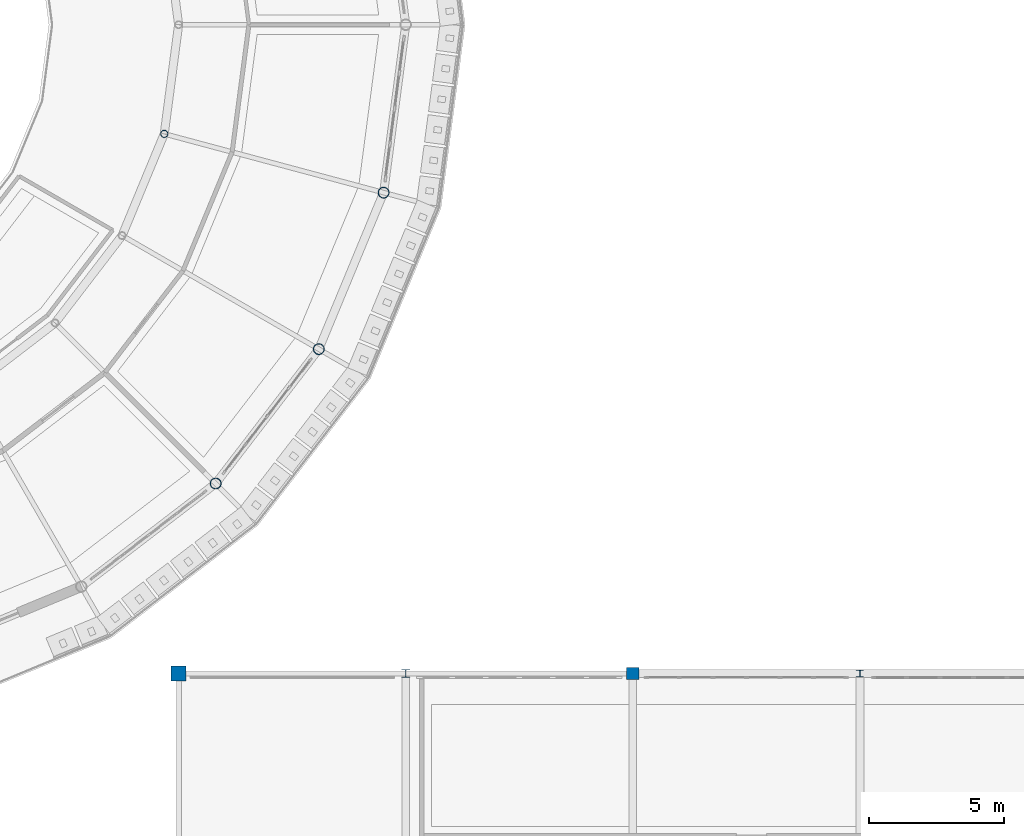
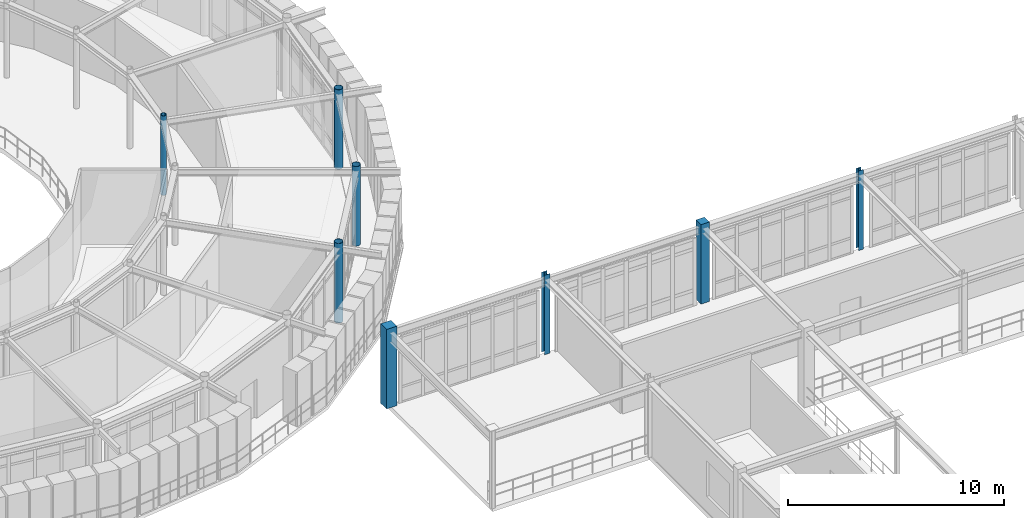
# One storey, part 12 of 106: 8 columns.
"""IFC4 building model written with IfcOpenShell, lengths in metres."""

import ifcopenshell
import ifcopenshell.guid

model = None  # the IFC model being written
_history = None  # IfcOwnerHistory: only IFC2X3 demands one
_inside = {}  # id of a spatial element -> (the spatial element, [elements in it])
_under = {}  # id of a project, library or spatial element -> (it, [spatial elements below it])
_declared = {}  # id of a project -> (the project, [libraries it declares])
_typed = {}  # id of a type object -> (the type object, [elements of that type])
_made_of = {}  # id of a material, layer set ... -> (it, [elements and type objects made of it])


def new_model(schema):
    """Start an empty IFC model of exactly this schema.

    Asked for "IFC4X3", IfcOpenShell would pick the latest addendum, in which some entities
    have other attributes; the version numbers below select the first issue.
    IFC2X3 requires an IfcOwnerHistory on every rooted entity: one is made here for all.
    """
    global model, _history
    if schema == "IFC4X3":
        model = ifcopenshell.file(schema_version=(4, 3, 0, 0))
    else:
        model = ifcopenshell.file(schema=schema)
    _inside.clear()
    _under.clear()
    _declared.clear()
    _typed.clear()
    _made_of.clear()
    _history = None
    if model.schema == "IFC2X3":
        org = make("IfcOrganization", Name="unknown")
        user = make(
            "IfcPersonAndOrganization",
            ThePerson=make("IfcPerson", FamilyName="unknown"),
            TheOrganization=org,
        )
        app = make(
            "IfcApplication",
            ApplicationDeveloper=org,
            Version="unknown",
            ApplicationFullName="unknown",
            ApplicationIdentifier="unknown",
        )
        _history = make(
            "IfcOwnerHistory",
            OwningUser=user,
            OwningApplication=app,
            ChangeAction="ADDED",
            CreationDate=0,
        )
    return model


def make(cls, **values):
    """One entity of the class cls with the attributes given. An attribute that is None is left unset."""
    return model.create_entity(
        cls, **{name: value for name, value in values.items() if value is not None}
    )


def rooted(cls, **values):
    """An entity with a GlobalId (a new one), such as an element, a storey or a relation."""
    return make(cls, GlobalId=ifcopenshell.guid.new(), OwnerHistory=_history, **values)


def si_unit(unit_type, name, prefix=None):
    """IfcSIUnit, for example si_unit("LENGTHUNIT", "METRE", prefix="MILLI")."""
    return make("IfcSIUnit", UnitType=unit_type, Prefix=prefix, Name=name)


def derived_unit(unit_type, elements):
    """IfcDerivedUnit: a product of units, each with its exponent."""
    return make(
        "IfcDerivedUnit",
        Elements=[
            make("IfcDerivedUnitElement", Unit=unit, Exponent=power)
            for unit, power in elements
        ],
        UnitType=unit_type,
    )


def assignment(units):
    """IfcUnitAssignment: the units of a project."""
    return None if units is None else make("IfcUnitAssignment", Units=units)


def point(xyz):
    """IfcCartesianPoint."""
    return None if xyz is None else make("IfcCartesianPoint", Coordinates=xyz)


def direction(xyz):
    """IfcDirection."""
    return None if xyz is None else make("IfcDirection", DirectionRatios=xyz)


def frame(location, z_axis=None, x_axis=None):
    """IfcAxis2Placement3D, a coordinate frame: its origin and axes. An axis left out is left unset."""
    return make(
        "IfcAxis2Placement3D",
        Location=point(location),
        Axis=direction(z_axis),
        RefDirection=direction(x_axis),
    )


def frame_2d(location, x_axis=None):
    """IfcAxis2Placement2D, a coordinate frame in the plane: its origin and x axis."""
    return make(
        "IfcAxis2Placement2D", Location=point(location), RefDirection=direction(x_axis)
    )


def origin():
    """The frame at (0, 0, 0) with its axes left unset."""
    return frame((0.0, 0.0, 0.0))


def origin_2d():
    """The frame at (0, 0) in the plane with its x axis left unset."""
    return frame_2d((0.0, 0.0))


def place(relative_to, where):
    """IfcLocalPlacement: puts the frame where relative to a parent placement (None: the world)."""
    return make(
        "IfcLocalPlacement", PlacementRelTo=relative_to, RelativePlacement=where
    )


def context(
    kind, dimensions, precision=None, world=None, true_north=None, identifier=None
):
    """IfcGeometricRepresentationContext, for example the 3D "Model" context."""
    return make(
        "IfcGeometricRepresentationContext",
        ContextIdentifier=identifier,
        ContextType=kind,
        CoordinateSpaceDimension=dimensions,
        Precision=precision,
        WorldCoordinateSystem=world,
        TrueNorth=true_north,
    )


def subcontext(parent, identifier, kind, view, scale=None):
    """IfcGeometricRepresentationSubContext, for example "Body" below "Model"."""
    return make(
        "IfcGeometricRepresentationSubContext",
        ContextIdentifier=identifier,
        ContextType=kind,
        ParentContext=parent,
        TargetScale=scale,
        TargetView=view,
    )


def project(units=None, contexts=None):
    """IfcProject with its units and contexts."""
    return rooted(
        "IfcProject",
        Name="project",
        RepresentationContexts=contexts,
        UnitsInContext=assignment(units),
    )


def spatial(cls, under=None, at=None, **own):
    """A site, building, storey or space (cls), placed at a placement, below another one or the project."""
    s = rooted(cls, ObjectPlacement=at, **own)
    if under is not None:
        _under.setdefault(under.id(), (under, []))[1].append(s)
    return s


def profile(cls, at=None, kind="AREA", **sizes):
    """A parametric profile (cls). Its sizes go by their IFC names, for example OverallWidth=200.0."""
    return make(cls, ProfileType=kind, Position=at, **sizes)


def rectangle(**sizes):
    """IfcRectangleProfileDef."""
    return profile("IfcRectangleProfileDef", **sizes)


def hollow_circle(**sizes):
    """IfcCircleHollowProfileDef."""
    return profile("IfcCircleHollowProfileDef", **sizes)


def i_section(**sizes):
    """IfcIShapeProfileDef."""
    return profile("IfcIShapeProfileDef", **sizes)


def extrude(swept, where, along, depth):
    """IfcExtrudedAreaSolid: the profile swept, set in the frame where, extruded along a direction by depth."""
    return make(
        "IfcExtrudedAreaSolid",
        SweptArea=swept,
        Position=where,
        ExtrudedDirection=direction(along),
        Depth=depth,
    )


def shape(context_of_items, identifier, shape_type, items):
    """IfcShapeRepresentation: the items that make up one representation, for example the "Body"."""
    return make(
        "IfcShapeRepresentation",
        ContextOfItems=context_of_items,
        RepresentationIdentifier=identifier,
        RepresentationType=shape_type,
        Items=items,
    )


def material(Name=None, Category=None):
    """IfcMaterial."""
    return make("IfcMaterial", Name=Name, Category=Category)


def material_profile(
    of_material, cross_section, Name=None, Category=None, Priority=None
):
    """IfcMaterialProfile: a cross section and its material."""
    return make(
        "IfcMaterialProfile",
        Name=Name,
        Material=of_material,
        Profile=cross_section,
        Priority=Priority,
        Category=Category,
    )


def profile_set(profiles, Name=None, composite=None):
    """IfcMaterialProfileSet."""
    return make(
        "IfcMaterialProfileSet",
        Name=Name,
        MaterialProfiles=profiles,
        CompositeProfile=composite,
    )


def made_of(thing, what):
    """Note that an element or type object is made of a material, layer set ...; save() writes the relation."""
    if what is not None:
        _made_of.setdefault(what.id(), (what, []))[1].append(thing)
    return thing


def type_object(cls, material=None, **own):
    """A type object (cls), such as IfcWallType, which elements share."""
    return made_of(rooted(cls, **own), material)


def element(
    cls,
    number,
    at=None,
    inside=None,
    cuts=None,
    type_object=None,
    material=None,
    context=None,
    identifier="Body",
    shape_type=None,
    held_by="IfcProductDefinitionShape",
    body=None,
    shapes=None,
    **own,
):
    """One element of the class cls, such as IfcWall. Its Tag is "e" and its number.

    at: its placement. inside: the storey or other place that contains it. cuts: it is an
    opening in that element (IfcRelVoidsElement). A single representation is given by context,
    identifier, shape_type and body (its items); several are given by shapes. held_by: the class
    of the entity that holds the representations. save() writes the other relations.
    """
    e = rooted(cls, Tag="e%d" % number, ObjectPlacement=at, **own)
    if body is not None:
        shapes = [shape(context, identifier, shape_type, body)]
    if shapes is not None:
        e.Representation = make(held_by, Representations=shapes)
    if inside is not None:
        _inside.setdefault(inside.id(), (inside, []))[1].append(e)
    if cuts is not None:
        rooted(
            "IfcRelVoidsElement", RelatingBuildingElement=cuts, RelatedOpeningElement=e
        )
    if type_object is not None:
        _typed.setdefault(type_object.id(), (type_object, []))[1].append(e)
    return made_of(e, material)


def aggregate(whole, parts):
    """IfcRelAggregates: a whole, such as a stair, and the parts it consists of."""
    return rooted("IfcRelAggregates", RelatingObject=whole, RelatedObjects=parts)


def save(model, path):
    """Write the relations noted so far, then the file.

    IfcRelAggregates (storeys below a building ...), IfcRelContainedInSpatialStructure (elements
    in a storey), IfcRelDefinesByType, IfcRelAssociatesMaterial and IfcRelDeclares: one each for
    every whole, place, type object, material and project.
    """
    for whole, parts in _under.values():
        aggregate(whole, parts)
    for where, things in _inside.values():
        rooted(
            "IfcRelContainedInSpatialStructure",
            RelatedElements=things,
            RelatingStructure=where,
        )
    for kind, things in _typed.values():
        rooted("IfcRelDefinesByType", RelatedObjects=things, RelatingType=kind)
    for what, things in _made_of.values():
        rooted("IfcRelAssociatesMaterial", RelatedObjects=things, RelatingMaterial=what)
    for by, libraries in _declared.values():
        rooted("IfcRelDeclares", RelatingContext=by, RelatedDefinitions=libraries)
    model.write(path)


model = new_model("IFC4")

# Units and contexts
model_context = context("Model", 3, precision=1e-05, world=origin(), true_north=direction((0.0, 1.0)))
body_context = subcontext(model_context, "Body", "Model", "MODEL_VIEW")
ifc_project = project(units=[si_unit("LENGTHUNIT", "METRE"), si_unit("AREAUNIT", "SQUARE_METRE"), si_unit("VOLUMEUNIT", "CUBIC_METRE"), si_unit("PLANEANGLEUNIT", "RADIAN"), si_unit("MASSUNIT", "GRAM", prefix="KILO"), derived_unit("THERMALTRANSMITTANCEUNIT", [(si_unit("POWERUNIT", "WATT"), 1), (si_unit("AREAUNIT", "SQUARE_METRE"), -1), (si_unit("THERMODYNAMICTEMPERATUREUNIT", "KELVIN"), -1)])], contexts=[model_context])

# Site, building, storey
site_placement = place(None, origin())
site = spatial("IfcSite", under=ifc_project, at=site_placement, CompositionType="ELEMENT")
building_placement = place(site_placement, origin())
building = spatial("IfcBuilding", under=site, at=building_placement, Name="Yasenodar Specialist Clinic", CompositionType="ELEMENT")
storey_placement = place(building_placement, frame((0.0, 0.0, 4.5)))
storey = spatial("IfcBuildingStorey", under=building, at=storey_placement, Name="L01", CompositionType="ELEMENT", Elevation=4.5)

# Columns
ifc_material_1 = material(Name="Concrete C35/45", Category="concrete")
ifc_material_profile_1 = material_profile(ifc_material_1, rectangle(XDim=0.449951171875, YDim=0.449951171875, at=origin_2d()), Name="RC 450x450")
ifc_profile_set_1 = profile_set([ifc_material_profile_1], Name="Concrete C35/45")
column_type_1 = type_object("IfcColumnType", Name="COL-RC-450", PredefinedType="COLUMN", material=ifc_profile_set_1)
column_1_placement = place(storey_placement, frame((113.39990234375, 34.800048828125, 0.0), z_axis=(0.0, 0.0, 1.0), x_axis=(1.0, 0.0, 0.0)))
element("IfcColumn", 1, at=column_1_placement, inside=storey, type_object=column_type_1, Name="L01 Column V3-131", PredefinedType="COLUMN", context=body_context, shape_type="SweptSolid", body=[
    extrude(rectangle(XDim=0.449951171875, YDim=0.449951171875, at=origin_2d()), origin(), (0.0, 0.0, 1.0), 4.5),
])
ifc_material_profile_2 = material_profile(ifc_material_1, rectangle(XDim=0.550048828125, YDim=0.550048828125, at=origin_2d()), Name="RC 550x550")
ifc_profile_set_2 = profile_set([ifc_material_profile_2], Name="Concrete C35/45")
column_type_2 = type_object("IfcColumnType", Name="COL-RC-550", PredefinedType="COLUMN", material=ifc_profile_set_2)
column_2_placement = place(storey_placement, frame((96.60009765625, 34.800048828125, 0.0), z_axis=(0.0, 0.0, 1.0), x_axis=(1.0, 0.0, 0.0)))
element("IfcColumn", 2, at=column_2_placement, inside=storey, type_object=column_type_2, Name="L01 Column V3-112", PredefinedType="COLUMN", context=body_context, shape_type="SweptSolid", body=[
    extrude(rectangle(XDim=0.550048828125, YDim=0.550048828125, at=origin_2d()), origin(), (0.0, 0.0, 1.0), 4.5),
])
ifc_material_2 = material(Name="Steel S355", Category="steel")
ifc_material_profile_3 = material_profile(ifc_material_2, hollow_circle(Radius=0.136474609375, WallThickness=0.012451171875, at=origin_2d()), Name="CHS 273x12.5")
ifc_profile_set_3 = profile_set([ifc_material_profile_3], Name="Steel S355")
column_type_3 = type_object("IfcColumnType", Name="COL-ST-CHS273", PredefinedType="COLUMN", material=ifc_profile_set_3)
column_3_placement = place(storey_placement, frame((96.068359375, 54.762451171875, 0.0), z_axis=(0.0, 0.0, 1.0), x_axis=(1.0, 0.0, 0.0)))
element("IfcColumn", 3, at=column_3_placement, inside=storey, type_object=column_type_3, Name="L01 Drum V1 Inner Column 24", PredefinedType="COLUMN", context=body_context, shape_type="SweptSolid", body=[
    extrude(hollow_circle(Radius=0.136474609375, WallThickness=0.012451171875, at=origin_2d()), origin(), (0.0, 0.0, 1.0), 4.5),
])
ifc_material_profile_4 = material_profile(ifc_material_2, hollow_circle(Radius=0.203125, WallThickness=0.01611328125, at=origin_2d()), Name="CHS 406.4x16")
ifc_profile_set_4 = profile_set([ifc_material_profile_4], Name="Steel S355")
column_type_4 = type_object("IfcColumnType", Name="COL-ST-CHS406", PredefinedType="COLUMN", material=ifc_profile_set_4)
for number, where, z_axis, x_axis, name in (
    (4, (97.970703125, 41.829345703125, 0.0), (0.0, 0.0, 1.0), (1.0, 0.0, 0.0), "L01 Drum V1 Outer Column 22"),
    (5, (101.78466796875, 46.800048828125, 0.0), (0.0, 0.0, 1.0), (1.0, 0.0, 0.0), "L01 Drum V1 Outer Column 23"),
    (6, (104.18212890625, 52.58837890625, 0.0), (0.0, 0.0, 1.0), (1.0, 0.0, 0.0), "L01 Drum V1 Outer Column 24"),
):
    element("IfcColumn", number, at=place(storey_placement, frame(where, z_axis=z_axis, x_axis=x_axis)), inside=storey, type_object=column_type_4, Name=name, PredefinedType="COLUMN", context=body_context, shape_type="SweptSolid", body=[
        extrude(hollow_circle(Radius=0.203125, WallThickness=0.01611328125, at=origin_2d()), origin(), (0.0, 0.0, 1.0), 4.5),
    ])
ifc_material_profile_5 = material_profile(ifc_material_2, i_section(OverallWidth=0.260009765625, OverallDepth=0.25, WebThickness=0.007568359375, FlangeThickness=0.012451171875, FilletRadius=0.02392578125, at=origin_2d()), Name="HEA 260")
ifc_profile_set_5 = profile_set([ifc_material_profile_5], Name="Steel S355")
column_type_5 = type_object("IfcColumnType", Name="COL-ST-HEA260", PredefinedType="COLUMN", material=ifc_profile_set_5)
column_4_placement = place(storey_placement, frame((121.800048828125, 34.800048828125, 0.0), z_axis=(0.0, 0.0, 1.0), x_axis=(1.0, 0.0, 0.0)))
element("IfcColumn", 7, at=column_4_placement, inside=storey, type_object=column_type_5, Name="L01 Column V3-140", PredefinedType="COLUMN", context=body_context, shape_type="SweptSolid", body=[
    extrude(i_section(OverallWidth=0.260009765625, OverallDepth=0.25, WebThickness=0.007568359375, FlangeThickness=0.012451171875, FilletRadius=0.02392578125, at=origin_2d()), origin(), (0.0, 0.0, 1.0), 4.5),
])
ifc_material_profile_6 = material_profile(ifc_material_2, i_section(OverallWidth=0.300048828125, OverallDepth=0.2900390625, WebThickness=0.008544921875, FlangeThickness=0.013916015625, FilletRadius=0.027099609375, at=origin_2d()), Name="HEA 300")
ifc_profile_set_6 = profile_set([ifc_material_profile_6], Name="Steel S355")
column_type_6 = type_object("IfcColumnType", Name="COL-ST-HEA300", PredefinedType="COLUMN", material=ifc_profile_set_6)
column_5_placement = place(storey_placement, frame((105.0, 34.800048828125, 0.0), z_axis=(0.0, 0.0, 1.0), x_axis=(1.0, 0.0, 0.0)))
element("IfcColumn", 8, at=column_5_placement, inside=storey, type_object=column_type_6, Name="L01 Column V3-121", PredefinedType="COLUMN", context=body_context, shape_type="SweptSolid", body=[
    extrude(i_section(OverallWidth=0.300048828125, OverallDepth=0.2900390625, WebThickness=0.008544921875, FlangeThickness=0.013916015625, FilletRadius=0.027099609375, at=origin_2d()), origin(), (0.0, 0.0, 1.0), 4.5),
])

save(model, "model.ifc")
